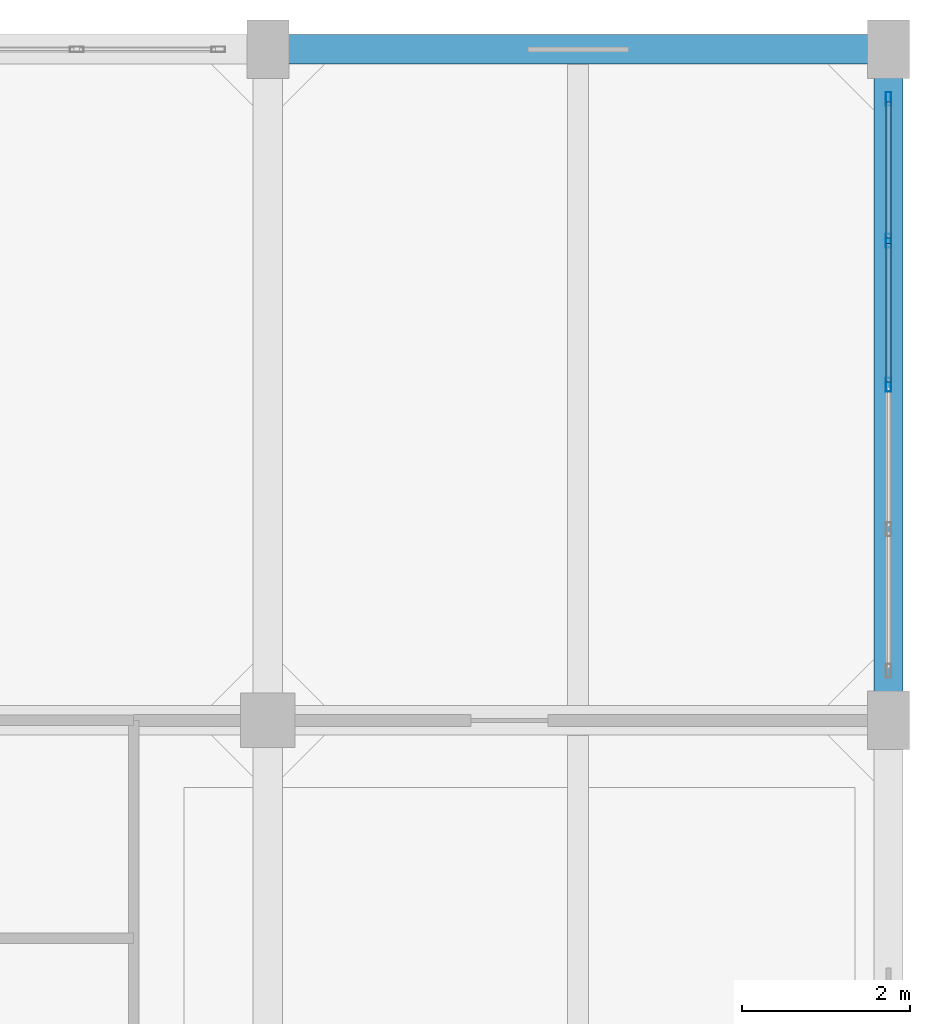
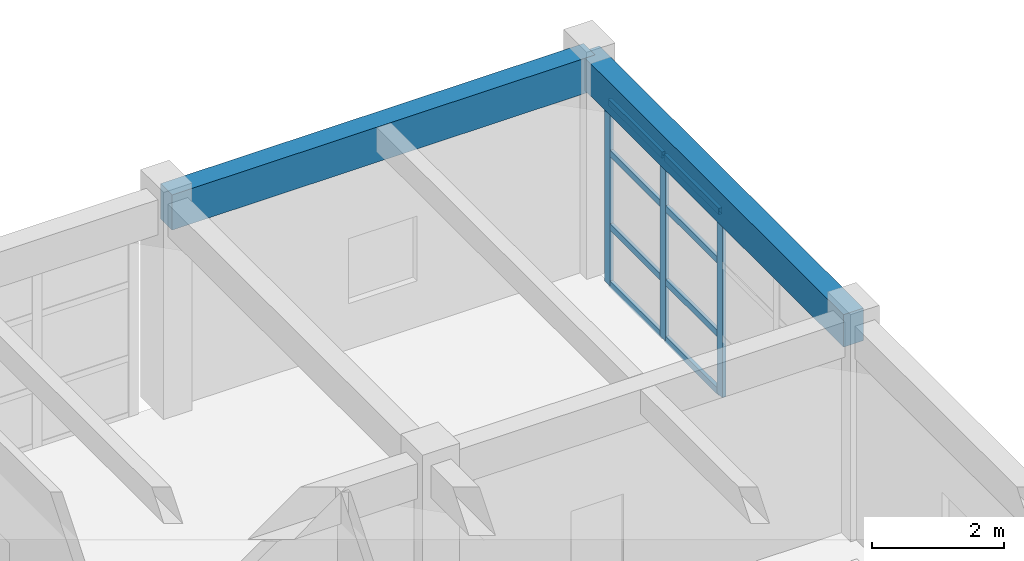
# One storey, part 14 of 20: 11 members, 2 beams, 1 element without a shape of its own.
"""IFC4 building model written with IfcOpenShell, lengths in metres."""

from ifc_helpers import new_model, si_unit, direction, frame, origin, origin_2d, place, context, subcontext, project, spatial, rectangle, hollow_rectangle, extrude, material, layer, layer_set, material_profile, profile_set, type_object, element, aggregate, save


model = new_model("IFC4")

# Units and contexts
model_context = context("Model", 3, precision=1e-05, world=origin(), true_north=direction((0.0, 1.0)))
body_context = subcontext(model_context, "Body", "Model", "MODEL_VIEW")
ifc_project = project(units=[si_unit("LENGTHUNIT", "METRE"), si_unit("AREAUNIT", "SQUARE_METRE"), si_unit("VOLUMEUNIT", "CUBIC_METRE"), si_unit("PLANEANGLEUNIT", "RADIAN"), si_unit("MASSUNIT", "GRAM", prefix="KILO")], contexts=[model_context])

# Site, building, storey
site_placement = place(None, origin())
site = spatial("IfcSite", under=ifc_project, at=site_placement, CompositionType="ELEMENT")
building_placement = place(site_placement, origin())
building = spatial("IfcBuilding", under=site, at=building_placement, Name="Canggui Botanical Conservatory", CompositionType="ELEMENT")
storey_placement = place(building_placement, frame((0.0, 0.0, 57.0)))
storey = spatial("IfcBuildingStorey", under=building, at=storey_placement, Name="L14", CompositionType="ELEMENT", Elevation=57.0)

# Beams
ifc_material_1 = material(Name="Concrete C35", Category="concrete")
ifc_material_profile_1 = material_profile(ifc_material_1, rectangle(XDim=0.35009765625, YDim=0.64990234375, at=origin_2d()), Name="RB 350x650")
ifc_profile_set_1 = profile_set([ifc_material_profile_1], Name="Concrete C35")
beam_type_1 = type_object("IfcBeamType", Name="BM-KL18", PredefinedType="BEAM", material=ifc_profile_set_1)
beam_1_placement = place(storey_placement, frame((170.0, 66.0, 3.635009765625), z_axis=(1.0, 0.0, 0.0), x_axis=(0.0, 1.0, 0.0)))
element("IfcBeam", 1, at=beam_1_placement, inside=storey, type_object=beam_type_1, Name="Frame Girder L14 Y66-4", PredefinedType="BEAM", context=body_context, shape_type="SweptSolid", body=[
    extrude(rectangle(XDim=0.35009765625, YDim=0.64990234375, at=origin_2d()), origin(), (0.0, 0.0, 1.0), 7.39990234375),
])
ifc_material_profile_2 = material_profile(ifc_material_1, rectangle(XDim=0.35009765625, YDim=0.60009765625, at=origin_2d()), Name="RB 350x600")
ifc_profile_set_2 = profile_set([ifc_material_profile_2], Name="Concrete C35")
beam_type_2 = type_object("IfcBeamType", Name="BM-KL19", PredefinedType="BEAM", material=ifc_profile_set_2)
beam_2_placement = place(storey_placement, frame((177.39990234375, 58.0, 3.659912109375), z_axis=(0.0, 1.0, 0.0), x_axis=(-1.0, 0.0, 0.0)))
element("IfcBeam", 2, at=beam_2_placement, inside=storey, type_object=beam_type_2, Name="Frame Girder L14 X178-3", PredefinedType="BEAM", context=body_context, shape_type="SweptSolid", body=[
    extrude(rectangle(XDim=0.35009765625, YDim=0.60009765625, at=origin_2d()), origin(), (0.0, 0.0, 1.0), 8.0),
])

# Curtain wall, members
ifc_material_2 = material(Name="Thermally Broken Aluminium", Category="aluminium")
ifc_layer = layer(ifc_material_2, 0.1650390625, Name="Thermally Broken Aluminium", Category="aluminium")
ifc_layer_set = layer_set([ifc_layer], Name="Thermally Broken Aluminium")
curtain_wall_type = type_object("IfcCurtainWallType", Name="CW-UNIT-B", PredefinedType="USERDEFINED", material=ifc_layer_set)
curtain_wall_placement = place(storey_placement, origin())
curtain_wall = element("IfcCurtainWall", 3, at=curtain_wall_placement, inside=storey, type_object=curtain_wall_type, Name="Facade Curtain Wall CW-TWR-L14-10", ObjectType="UNITISED CURTAIN WALL", PredefinedType="USERDEFINED")
ifc_material_profile_3 = material_profile(ifc_material_2, hollow_rectangle(XDim=0.06494140625, YDim=0.1650390625, WallThickness=0.00390625, at=origin_2d()), Name="CWM 65x165x4")
ifc_profile_set_3 = profile_set([ifc_material_profile_3], Name="Thermally Broken Aluminium")
member_type_1 = type_object("IfcMemberType", Name="CWM-02", PredefinedType="MULLION", material=ifc_profile_set_3)
member_1_placement = place(storey_placement, frame((177.39990234375, 65.407470703125, 0.0), z_axis=(0.0, 0.0, 1.0), x_axis=(1.0, 0.0, 0.0)))
member_1 = element("IfcMember", 4, at=member_1_placement, type_object=member_type_1, Name="CW-02 mullion 1", PredefinedType="MULLION", context=body_context, shape_type="SweptSolid", body=[
    extrude(hollow_rectangle(XDim=0.06494140625, YDim=0.1650390625, WallThickness=0.00390625, at=origin_2d()), origin(), (0.0, 0.0, 1.0), 3.39990234375),
])
member_2_placement = place(storey_placement, frame((177.39990234375, 63.719970703125, 0.0), z_axis=(0.0, 0.0, 1.0), x_axis=(1.0, 0.0, 0.0)))
member_2 = element("IfcMember", 5, at=member_2_placement, type_object=member_type_1, Name="CW-02 mullion 2", PredefinedType="MULLION", context=body_context, shape_type="SweptSolid", body=[
    extrude(hollow_rectangle(XDim=0.06494140625, YDim=0.1650390625, WallThickness=0.00390625, at=origin_2d()), origin(), (0.0, 0.0, 1.0), 3.39990234375),
])
member_3_placement = place(storey_placement, frame((177.39990234375, 62.0, 0.0), z_axis=(0.0, 0.0, 1.0), x_axis=(1.0, 0.0, 0.0)))
member_3 = element("IfcMember", 6, at=member_3_placement, type_object=member_type_1, Name="CW-02 mullion 3", PredefinedType="MULLION", context=body_context, shape_type="SweptSolid", body=[
    extrude(hollow_rectangle(XDim=0.06494140625, YDim=0.1650390625, WallThickness=0.00390625, at=origin_2d()), origin(), (0.0, 0.0, 1.0), 3.39990234375),
])
ifc_material_profile_4 = material_profile(ifc_material_2, hollow_rectangle(XDim=0.06005859375, YDim=0.1201171875, WallThickness=0.00341796875, at=origin_2d()), Name="CWT 60x120x3.5")
ifc_profile_set_4 = profile_set([ifc_material_profile_4], Name="Thermally Broken Aluminium")
member_type_2 = type_object("IfcMemberType", Name="CWT-02", PredefinedType="USERDEFINED", material=ifc_profile_set_4)
member_4_placement = place(storey_placement, frame((177.39990234375, 65.375, 0.030029296875), z_axis=(0.0, -1.0, 0.0), x_axis=(1.0, 0.0, 0.0)))
member_4 = element("IfcMember", 7, at=member_4_placement, type_object=member_type_2, Name="CW-02 transom 1.1", ObjectType="TRANSOM", PredefinedType="USERDEFINED", context=body_context, shape_type="SweptSolid", body=[
    extrude(hollow_rectangle(XDim=0.06005859375, YDim=0.1201171875, WallThickness=0.00341796875, at=origin_2d()), origin(), (0.0, 0.0, 1.0), 1.62255859375),
])
member_5_placement = place(storey_placement, frame((177.39990234375, 65.375, 1.087890625), z_axis=(0.0, -1.0, 0.0), x_axis=(1.0, 0.0, 0.0)))
member_5 = element("IfcMember", 8, at=member_5_placement, type_object=member_type_2, Name="CW-02 transom 1.2", ObjectType="TRANSOM", PredefinedType="USERDEFINED", context=body_context, shape_type="SweptSolid", body=[
    extrude(hollow_rectangle(XDim=0.06005859375, YDim=0.1201171875, WallThickness=0.00341796875, at=origin_2d()), origin(), (0.0, 0.0, 1.0), 1.62255859375),
])
member_6_placement = place(storey_placement, frame((177.39990234375, 65.375, 2.447998046875), z_axis=(0.0, -1.0, 0.0), x_axis=(1.0, 0.0, 0.0)))
member_6 = element("IfcMember", 9, at=member_6_placement, type_object=member_type_2, Name="CW-02 transom 1.3", ObjectType="TRANSOM", PredefinedType="USERDEFINED", context=body_context, shape_type="SweptSolid", body=[
    extrude(hollow_rectangle(XDim=0.06005859375, YDim=0.1201171875, WallThickness=0.00341796875, at=origin_2d()), origin(), (0.0, 0.0, 1.0), 1.62255859375),
])
member_7_placement = place(storey_placement, frame((177.39990234375, 65.375, 3.3701171875), z_axis=(0.0, -1.0, 0.0), x_axis=(1.0, 0.0, 0.0)))
member_7 = element("IfcMember", 10, at=member_7_placement, type_object=member_type_2, Name="CW-02 transom 1.4", ObjectType="TRANSOM", PredefinedType="USERDEFINED", context=body_context, shape_type="SweptSolid", body=[
    extrude(hollow_rectangle(XDim=0.06005859375, YDim=0.1201171875, WallThickness=0.00341796875, at=origin_2d()), origin(), (0.0, 0.0, 1.0), 1.62255859375),
])
member_8_placement = place(storey_placement, frame((177.39990234375, 63.6875, 0.030029296875), z_axis=(0.0, -1.0, 0.0), x_axis=(1.0, 0.0, 0.0)))
member_8 = element("IfcMember", 11, at=member_8_placement, type_object=member_type_2, Name="CW-02 transom 2.1", ObjectType="TRANSOM", PredefinedType="USERDEFINED", context=body_context, shape_type="SweptSolid", body=[
    extrude(hollow_rectangle(XDim=0.06005859375, YDim=0.1201171875, WallThickness=0.00341796875, at=origin_2d()), origin(), (0.0, 0.0, 1.0), 1.655029296875),
])
member_9_placement = place(storey_placement, frame((177.39990234375, 63.6875, 1.087890625), z_axis=(0.0, -1.0, 0.0), x_axis=(1.0, 0.0, 0.0)))
member_9 = element("IfcMember", 12, at=member_9_placement, type_object=member_type_2, Name="CW-02 transom 2.2", ObjectType="TRANSOM", PredefinedType="USERDEFINED", context=body_context, shape_type="SweptSolid", body=[
    extrude(hollow_rectangle(XDim=0.06005859375, YDim=0.1201171875, WallThickness=0.00341796875, at=origin_2d()), origin(), (0.0, 0.0, 1.0), 1.655029296875),
])
member_10_placement = place(storey_placement, frame((177.39990234375, 63.6875, 2.447998046875), z_axis=(0.0, -1.0, 0.0), x_axis=(1.0, 0.0, 0.0)))
member_10 = element("IfcMember", 13, at=member_10_placement, type_object=member_type_2, Name="CW-02 transom 2.3", ObjectType="TRANSOM", PredefinedType="USERDEFINED", context=body_context, shape_type="SweptSolid", body=[
    extrude(hollow_rectangle(XDim=0.06005859375, YDim=0.1201171875, WallThickness=0.00341796875, at=origin_2d()), origin(), (0.0, 0.0, 1.0), 1.655029296875),
])
member_11_placement = place(storey_placement, frame((177.39990234375, 63.6875, 3.3701171875), z_axis=(0.0, -1.0, 0.0), x_axis=(1.0, 0.0, 0.0)))
member_11 = element("IfcMember", 14, at=member_11_placement, type_object=member_type_2, Name="CW-02 transom 2.4", ObjectType="TRANSOM", PredefinedType="USERDEFINED", context=body_context, shape_type="SweptSolid", body=[
    extrude(hollow_rectangle(XDim=0.06005859375, YDim=0.1201171875, WallThickness=0.00341796875, at=origin_2d()), origin(), (0.0, 0.0, 1.0), 1.655029296875),
])
aggregate(curtain_wall, [member_1, member_2, member_3, member_4, member_5, member_6, member_7, member_8, member_9, member_10, member_11])

save(model, "model.ifc")
